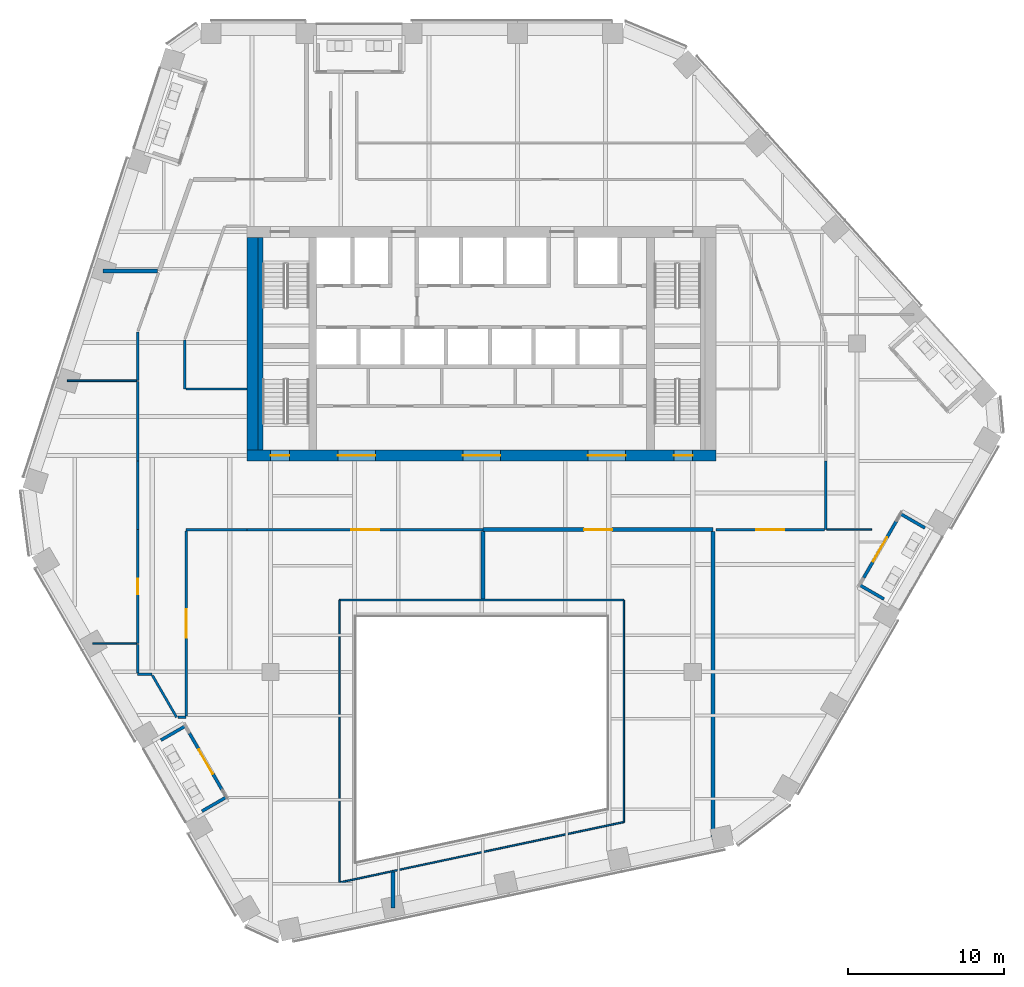
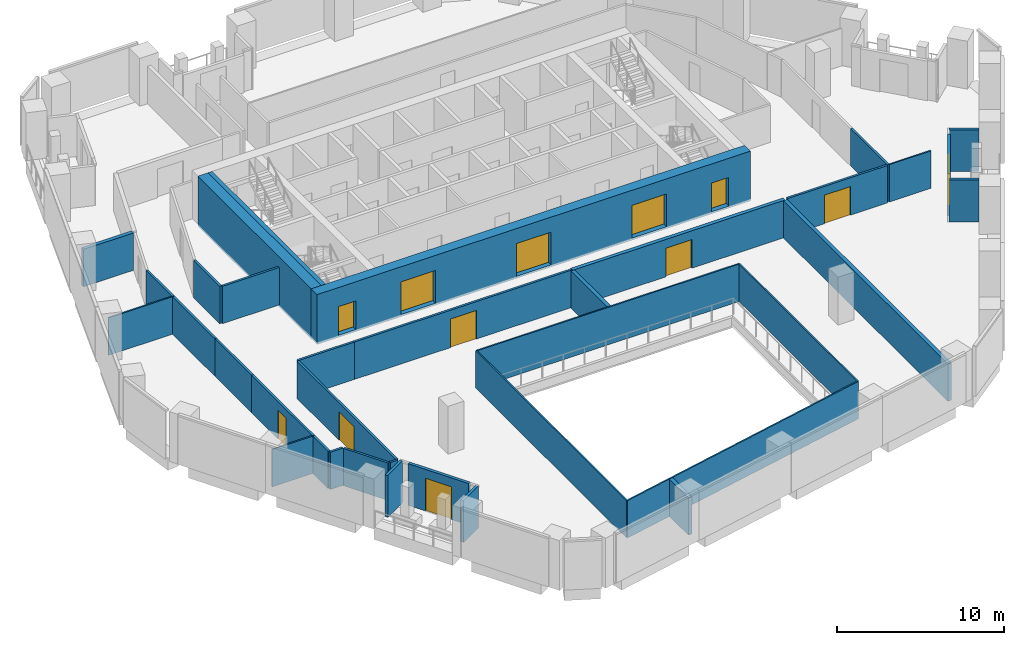
# One storey, part 19 of 26: 36 walls, 12 doors, 12 openings.
"""IFC4 building model written with IfcOpenShell, lengths in metres."""

from ifc_helpers import new_model, si_unit, direction, frame, frame_2d, origin, place, context, subcontext, project, spatial, rectangle, extrude, material, layer, layer_set, type_object, element, fill, save


model = new_model("IFC4")

# Units and contexts
model_context = context("Model", 3, precision=1e-05, world=origin(), true_north=direction((0.0, 1.0)))
body_context = subcontext(model_context, "Body", "Model", "MODEL_VIEW")
ifc_project = project(units=[si_unit("LENGTHUNIT", "METRE"), si_unit("AREAUNIT", "SQUARE_METRE"), si_unit("VOLUMEUNIT", "CUBIC_METRE"), si_unit("PLANEANGLEUNIT", "RADIAN"), si_unit("MASSUNIT", "GRAM", prefix="KILO")], contexts=[model_context])

# Site, building, storey
site_placement = place(None, origin())
site = spatial("IfcSite", under=ifc_project, at=site_placement, CompositionType="ELEMENT")
building_placement = place(site_placement, origin())
building = spatial("IfcBuilding", under=site, at=building_placement, Name="Isthmus Gate Tower", CompositionType="ELEMENT")
storey_placement = place(building_placement, frame((0.0, 0.0, 189.050048828125)))
storey = spatial("IfcBuildingStorey", under=building, at=storey_placement, Name="L47", CompositionType="ELEMENT", Elevation=189.050048828125)

# Wall, opening, door
ifc_material_1 = material(Name="Double-leaf acoustic stud wall, fire-rated", Category="gypsum")
ifc_layer_1 = layer(ifc_material_1, 0.25)
ifc_layer_set_1 = layer_set([ifc_layer_1], Name="ACOUSTIC WALL 250 60 MIN")
wall_type_1 = type_object("IfcWallType", Name="ACOUSTIC WALL 250 60 MIN", PredefinedType="PARTITIONING", material=ifc_layer_set_1)
wall_1_placement = place(storey_placement, frame((14.800048828125, -4.39990234375, 0.0), z_axis=(0.0, 0.0, 1.0), x_axis=(-1.0, 0.0, 0.0)))
wall_1 = element("IfcWall", 1, at=wall_1_placement, inside=storey, type_object=wall_type_1, Name="L47 Acoustic Wall 250 60 Min", PredefinedType="PARTITIONING", context=body_context, shape_type="SweptSolid", body=[
    extrude(rectangle(XDim=14.705078125, YDim=0.25, at=frame_2d((7.3525390625, 0.0))), origin(), (0.0, 0.0, 1.0), 2.7412109375),
])
opening_1_placement = place(wall_1_placement, frame((6.452392578125, 0.0, 0.0)))
opening_1 = element("IfcOpeningElement", 2, at=opening_1_placement, cuts=wall_1, Name="Opening DT-T4B-12", PredefinedType="OPENING", context=body_context, shape_type="SweptSolid", body=[
    extrude(rectangle(XDim=1.800048828125, YDim=2.10009765625, at=frame_2d((0.89990234375, 1.050048828125))), frame((0.0, 0.135009765625, 0.0), z_axis=(0.0, -1.0, 0.0), x_axis=(1.0, 0.0, 0.0)), (0.0, 0.0, 1.0), 0.27001953125),
])
ifc_material_2 = material(Name="Solid core timber door leaf, fire-rated", Category="wood")
door_type_1 = type_object("IfcDoorType", Name="FIRE DOOR ACOUSTIC ROOM 1800 X 2100 60 MIN", OperationType="DOUBLE_DOOR_DOUBLE_SWING", PredefinedType="DOOR", material=ifc_material_2)
door_1_placement = place(opening_1_placement, origin())
door_1 = element("IfcDoor", 3, at=door_1_placement, inside=storey, type_object=door_type_1, Name="L47 room door", OperationType="DOUBLE_DOOR_DOUBLE_SWING", OverallHeight=2.10009765625, OverallWidth=1.800048828125, PredefinedType="DOOR", context=body_context, shape_type="SweptSolid", body=[
    extrude(rectangle(XDim=1.800048828125, YDim=2.10009765625, at=frame_2d((0.89990234375, 1.050048828125))), frame((0.0, 0.02490234375, 0.0), z_axis=(0.0, -1.0, 0.0), x_axis=(1.0, 0.0, 0.0)), (0.0, 0.0, 1.0), 0.050048828125),
])
fill(opening_1, door_1)

# Walls
wall_2_placement = place(storey_placement, frame((-24.217041015625, 12.156005859375, 0.0), z_axis=(0.0, 0.0, 1.0), x_axis=(1.0, 0.0, 0.0)))
element("IfcWall", 4, at=wall_2_placement, inside=storey, type_object=wall_type_1, Name="L47 Acoustic Wall 250 60 Min", PredefinedType="PARTITIONING", context=body_context, shape_type="SweptSolid", body=[
    extrude(rectangle(XDim=3.468017578125, YDim=0.25, at=frame_2d((1.73388671875, 0.0))), origin(), (0.0, 0.0, 1.0), 2.7412109375),
])
wall_3_placement = place(storey_placement, frame((-5.674072265625, -28.593017578125, 0.0), z_axis=(0.0, 0.0, 1.0), x_axis=(0.0, 1.0, 0.0)))
element("IfcWall", 5, at=wall_3_placement, inside=storey, type_object=wall_type_1, Name="L47 Acoustic Wall 250 60 Min", PredefinedType="PARTITIONING", context=body_context, shape_type="SweptSolid", body=[
    extrude(rectangle(XDim=2.301025390625, YDim=0.25, at=frame_2d((1.150390625, 0.0))), origin(), (0.0, 0.0, 1.0), 2.7412109375),
])
wall_4_placement = place(storey_placement, frame((0.094970703125, -8.85009765625, 0.0), z_axis=(0.0, 0.0, 1.0), x_axis=(0.0, 1.0, 0.0)))
element("IfcWall", 6, at=wall_4_placement, inside=storey, type_object=wall_type_1, Name="L47 Acoustic Wall 250 60 Min", PredefinedType="PARTITIONING", context=body_context, shape_type="SweptSolid", body=[
    extrude(rectangle(XDim=4.3251953125, YDim=0.25, at=frame_2d((2.16259765625, 0.0))), origin(), (0.0, 0.0, 1.0), 2.7412109375),
])
wall_5_placement = place(storey_placement, frame((14.800048828125, -24.240966796875, 0.0), z_axis=(0.0, 0.0, 1.0), x_axis=(0.0, 1.0, 0.0)))
element("IfcWall", 7, at=wall_5_placement, inside=storey, type_object=wall_type_1, Name="L47 Acoustic Wall 250 60 Min", PredefinedType="PARTITIONING", context=body_context, shape_type="SweptSolid", body=[
    extrude(rectangle(XDim=19.716064453125, YDim=0.25, at=frame_2d((9.85791015625, 0.0))), origin(), (0.0, 0.0, 1.0), 2.7412109375),
])
ifc_material_3 = material(Name="Fire-rated laminated glass in steel frame", Category="steel")
ifc_layer_2 = layer(ifc_material_3, 0.10009765625)
ifc_layer_set_2 = layer_set([ifc_layer_2], Name="ATRIUM SCREEN GLAZED WALL 100 120 MIN")
wall_type_2 = type_object("IfcWallType", Name="ATRIUM SCREEN GLAZED WALL 100 120 MIN", PredefinedType="PARTITIONING", material=ifc_layer_set_2)
wall_6_placement = place(storey_placement, frame((-9.10009765625, -8.89990234375, 0.0), z_axis=(0.0, 0.0, 1.0), x_axis=(1.0, 0.0, 0.0)))
element("IfcWall", 8, at=wall_6_placement, inside=storey, type_object=wall_type_2, Name="L47 atrium screen", PredefinedType="PARTITIONING", context=body_context, shape_type="SweptSolid", body=[
    extrude(rectangle(XDim=18.2001953125, YDim=0.10009765625, at=frame_2d((9.10009765625, 0.0))), origin(), (0.0, 0.0, 1.0), 2.7412109375),
])
wall_7_placement = place(storey_placement, frame((9.10009765625, -8.89990234375, 0.0), z_axis=(0.0, 0.0, 1.0), x_axis=(0.0, -1.0, 0.0)))
element("IfcWall", 9, at=wall_7_placement, inside=storey, type_object=wall_type_2, Name="L47 atrium screen", PredefinedType="PARTITIONING", context=body_context, shape_type="SweptSolid", body=[
    extrude(rectangle(XDim=14.200927734375, YDim=0.10009765625, at=frame_2d((7.1005859375, 0.0))), origin(), (0.0, 0.0, 1.0), 2.7412109375),
])
wall_8_placement = place(storey_placement, frame((9.10009765625, -23.100830078125, 0.0), z_axis=(0.0, 0.0, 1.0), x_axis=(-0.978146710971, -0.207915876778, 0.0)))
element("IfcWall", 10, at=wall_8_placement, inside=storey, type_object=wall_type_2, Name="L47 atrium screen", PredefinedType="PARTITIONING", context=body_context, shape_type="SweptSolid", body=[
    extrude(rectangle(XDim=18.60693359375, YDim=0.10009765625, at=frame_2d((9.303466796875, 0.0))), origin(), (0.0, 0.0, 1.0), 2.7412109375),
])
wall_9_placement = place(storey_placement, frame((-9.10009765625, -26.969482421875, 0.0), z_axis=(0.0, 0.0, 1.0), x_axis=(0.0, 1.0, 0.0)))
element("IfcWall", 11, at=wall_9_placement, inside=storey, type_object=wall_type_2, Name="L47 atrium screen", PredefinedType="PARTITIONING", context=body_context, shape_type="SweptSolid", body=[
    extrude(rectangle(XDim=18.069580078125, YDim=0.10009765625, at=frame_2d((9.03466796875, 0.0))), origin(), (0.0, 0.0, 1.0), 2.7412109375),
])

# Wall, opening, door
ifc_material_4 = material(Name="Gypsum board on steel studs, fire-rated", Category="steel")
ifc_layer_3 = layer(ifc_material_4, 0.14990234375)
ifc_layer_set_3 = layer_set([ifc_layer_3], Name="CORRIDOR WALL 150 60 MIN")
wall_type_3 = type_object("IfcWallType", Name="CORRIDOR WALL 150 60 MIN", PredefinedType="PARTITIONING", material=ifc_layer_set_3)
wall_10_placement = place(storey_placement, frame((0.094970703125, -4.39990234375, 0.0), z_axis=(0.0, 0.0, 1.0), x_axis=(-1.0, 0.0, 0.0)))
wall_10 = element("IfcWall", 12, at=wall_10_placement, inside=storey, type_object=wall_type_3, Name="L47 Corridor Wall 150 60 Min", PredefinedType="PARTITIONING", context=body_context, shape_type="SweptSolid", body=[
    extrude(rectangle(XDim=15.094970703125, YDim=0.14990234375, at=frame_2d((7.54736328125, 0.0))), origin(), (0.0, 0.0, 1.0), 2.7412109375),
])
opening_2_placement = place(wall_10_placement, frame((6.6474609375, 0.0, 0.0)))
opening_2 = element("IfcOpeningElement", 13, at=opening_2_placement, cuts=wall_10, Name="Opening DT-T4B-10", PredefinedType="OPENING", context=body_context, shape_type="SweptSolid", body=[
    extrude(rectangle(XDim=1.800048828125, YDim=2.10009765625, at=frame_2d((0.89990234375, 1.050048828125))), frame((0.0, 0.0849609375, 0.0), z_axis=(0.0, -1.0, 0.0), x_axis=(1.0, 0.0, 0.0)), (0.0, 0.0, 1.0), 0.169921875),
])
ifc_material_5 = material(Name="Solid core timber door leaf, fire-rated", Category="wood")
door_type_2 = type_object("IfcDoorType", Name="FIRE DOOR ROOM 1800 X 2100 60 MIN", OperationType="DOUBLE_DOOR_DOUBLE_SWING", PredefinedType="DOOR", material=ifc_material_5)
door_2_placement = place(opening_2_placement, origin())
door_2 = element("IfcDoor", 14, at=door_2_placement, inside=storey, type_object=door_type_2, Name="L47 room door", OperationType="DOUBLE_DOOR_DOUBLE_SWING", OverallHeight=2.10009765625, OverallWidth=1.800048828125, PredefinedType="DOOR", context=body_context, shape_type="SweptSolid", body=[
    extrude(rectangle(XDim=1.800048828125, YDim=2.10009765625, at=frame_2d((0.89990234375, 1.050048828125))), frame((0.0, 0.02490234375, 0.0), z_axis=(0.0, -1.0, 0.0), x_axis=(1.0, 0.0, 0.0)), (0.0, 0.0, 1.0), 0.050048828125),
])
fill(opening_2, door_2)

# Wall
wall_11_placement = place(storey_placement, frame((22.0, 0.0, 0.0), z_axis=(0.0, 0.0, 1.0), x_axis=(0.0, -1.0, 0.0)))
element("IfcWall", 15, at=wall_11_placement, inside=storey, type_object=wall_type_3, Name="L47 Corridor Wall 150 60 Min", PredefinedType="PARTITIONING", context=body_context, shape_type="SweptSolid", body=[
    extrude(rectangle(XDim=4.39990234375, YDim=0.14990234375, at=frame_2d((2.199951171875, 0.0))), origin(), (0.0, 0.0, 1.0), 2.7412109375),
])

# Wall, opening, door
wall_12_placement = place(storey_placement, frame((21.925048828125, -4.39990234375, 0.0), z_axis=(0.0, 0.0, 1.0), x_axis=(-1.0, 0.0, 0.0)))
wall_12 = element("IfcWall", 16, at=wall_12_placement, inside=storey, type_object=wall_type_3, Name="L47 Corridor Wall 150 60 Min", PredefinedType="PARTITIONING", context=body_context, shape_type="SweptSolid", body=[
    extrude(rectangle(XDim=6.925048828125, YDim=0.14990234375, at=frame_2d((3.46240234375, 0.0))), origin(), (0.0, 0.0, 1.0), 2.7412109375),
])
opening_3_placement = place(wall_12_placement, frame((2.5625, 0.0, 0.0)))
opening_3 = element("IfcOpeningElement", 17, at=opening_3_placement, cuts=wall_12, Name="Opening DT-T4B-09", PredefinedType="OPENING", context=body_context, shape_type="SweptSolid", body=[
    extrude(rectangle(XDim=1.800048828125, YDim=2.10009765625, at=frame_2d((0.89990234375, 1.050048828125))), frame((0.0, 0.0849609375, 0.0), z_axis=(0.0, -1.0, 0.0), x_axis=(1.0, 0.0, 0.0)), (0.0, 0.0, 1.0), 0.169921875),
])
door_3_placement = place(opening_3_placement, origin())
door_3 = element("IfcDoor", 18, at=door_3_placement, inside=storey, type_object=door_type_2, Name="L47 room door", OperationType="DOUBLE_DOOR_DOUBLE_SWING", OverallHeight=2.10009765625, OverallWidth=1.800048828125, PredefinedType="DOOR", context=body_context, shape_type="SweptSolid", body=[
    extrude(rectangle(XDim=1.800048828125, YDim=2.10009765625, at=frame_2d((0.89990234375, 1.050048828125))), frame((0.0, 0.02490234375, 0.0), z_axis=(0.0, -1.0, 0.0), x_axis=(1.0, 0.0, 0.0)), (0.0, 0.0, 1.0), 0.050048828125),
])
fill(opening_3, door_3)

# Walls
wall_13_placement = place(storey_placement, frame((-15.0, -4.39990234375, 0.0), z_axis=(0.0, 0.0, 1.0), x_axis=(-1.0, 0.0, 0.0)))
element("IfcWall", 19, at=wall_13_placement, inside=storey, type_object=wall_type_3, Name="L47 Corridor Wall 150 60 Min", PredefinedType="PARTITIONING", context=body_context, shape_type="SweptSolid", body=[
    extrude(rectangle(XDim=3.89990234375, YDim=0.14990234375, at=frame_2d((1.949951171875, 0.0))), origin(), (0.0, 0.0, 1.0), 2.7412109375),
])
wall_14_placement = place(storey_placement, frame((-19.0, 7.742919921875, 0.0), z_axis=(0.0, 0.0, 1.0), x_axis=(0.0, -1.0, 0.0)))
element("IfcWall", 20, at=wall_14_placement, inside=storey, type_object=wall_type_3, Name="L47 Corridor Wall 150 60 Min", PredefinedType="PARTITIONING", context=body_context, shape_type="SweptSolid", body=[
    extrude(rectangle(XDim=3.142822265625, YDim=0.14990234375, at=frame_2d((1.5712890625, 0.0))), origin(), (0.0, 0.0, 1.0), 2.7412109375),
])

# Wall, opening, door
wall_15_placement = place(storey_placement, frame((-22.0, -11.693115234375, 0.0), z_axis=(0.0, 0.0, 1.0), x_axis=(-0.000267728647, 0.999999964161, 0.0)))
wall_15 = element("IfcWall", 21, at=wall_15_placement, inside=storey, type_object=wall_type_3, Name="L47 Corridor Wall 150 60 Min", PredefinedType="PARTITIONING", context=body_context, shape_type="SweptSolid", body=[
    extrude(rectangle(XDim=7.295166015625, YDim=0.14990234375, at=frame_2d((3.6474609375, 0.0))), origin(), (0.0, 0.0, 1.0), 2.7412109375),
])
opening_4_placement = place(wall_15_placement, frame((3.1474609375, 0.0, 0.0)))
opening_4 = element("IfcOpeningElement", 22, at=opening_4_placement, cuts=wall_15, Name="Opening DT-T4B-07", PredefinedType="OPENING", context=body_context, shape_type="SweptSolid", body=[
    extrude(rectangle(XDim=1.0, YDim=2.10009765625, at=frame_2d((0.5, 1.050048828125))), frame((0.0, 0.0849609375, 0.0), z_axis=(0.0, -1.0, 0.0), x_axis=(1.0, 0.0, 0.0)), (0.0, 0.0, 1.0), 0.169921875),
])
ifc_material_6 = material(Name="Solid core timber door leaf, fire-rated", Category="wood")
door_type_3 = type_object("IfcDoorType", Name="FIRE DOOR ROOM 1000 X 2100 60 MIN", OperationType="SINGLE_SWING_LEFT", PredefinedType="DOOR", material=ifc_material_6)
door_4_placement = place(opening_4_placement, origin())
door_4 = element("IfcDoor", 23, at=door_4_placement, inside=storey, type_object=door_type_3, Name="L47 room door", OperationType="SINGLE_SWING_RIGHT", OverallHeight=2.10009765625, OverallWidth=1.0, PredefinedType="DOOR", context=body_context, shape_type="SweptSolid", body=[
    extrude(rectangle(XDim=1.0, YDim=2.10009765625, at=frame_2d((0.5, 1.050048828125))), frame((0.0, 0.02490234375, 0.0), z_axis=(0.0, -1.0, 0.0), x_axis=(1.0, 0.0, 0.0)), (0.0, 0.0, 1.0), 0.050048828125),
])
fill(opening_4, door_4)

# Walls
wall_16_placement = place(storey_placement, frame((-21.10009765625, -13.654052734375, 0.0), z_axis=(0.0, 0.0, 1.0), x_axis=(-1.0, 0.0, 0.0)))
element("IfcWall", 24, at=wall_16_placement, inside=storey, type_object=wall_type_3, Name="L47 Corridor Wall 150 60 Min", PredefinedType="PARTITIONING", context=body_context, shape_type="SweptSolid", body=[
    extrude(rectangle(XDim=0.89990234375, YDim=0.14990234375, at=frame_2d((0.449951171875, 0.0))), origin(), (0.0, 0.0, 1.0), 2.7412109375),
])
wall_17_placement = place(storey_placement, frame((-19.513916015625, -16.39990234375, 0.0), z_axis=(0.0, 0.0, 1.0), x_axis=(-0.500184316454, 0.865918962475, 0.0)))
element("IfcWall", 25, at=wall_17_placement, inside=storey, type_object=wall_type_3, Name="L47 Corridor Wall 150 60 Min", PredefinedType="PARTITIONING", context=body_context, shape_type="SweptSolid", body=[
    extrude(rectangle(XDim=3.095947265625, YDim=0.14990234375, at=frame_2d((1.5478515625, 0.0))), origin(), (0.0, 0.0, 1.0), 2.7412109375),
])
wall_18_placement = place(storey_placement, frame((-18.89990234375, -16.39990234375, 0.0), z_axis=(0.0, 0.0, 1.0), x_axis=(-1.0, 0.0, 0.0)))
element("IfcWall", 26, at=wall_18_placement, inside=storey, type_object=wall_type_3, Name="L47 Corridor Wall 150 60 Min", PredefinedType="PARTITIONING", context=body_context, shape_type="SweptSolid", body=[
    extrude(rectangle(XDim=0.5390625, YDim=0.14990234375, at=frame_2d((0.26953125, 0.0))), origin(), (0.0, 0.0, 1.0), 2.7412109375),
])

# Wall, opening, door
wall_19_placement = place(storey_placement, frame((-18.89990234375, -4.47509765625, 0.0), z_axis=(0.0, 0.0, 1.0), x_axis=(0.0, -1.0, 0.0)))
wall_19 = element("IfcWall", 27, at=wall_19_placement, inside=storey, type_object=wall_type_3, Name="L47 Corridor Wall 150 60 Min", PredefinedType="PARTITIONING", context=body_context, shape_type="SweptSolid", body=[
    extrude(rectangle(XDim=11.849853515625, YDim=0.14990234375, at=frame_2d((5.9248046875, 0.0))), origin(), (0.0, 0.0, 1.0), 2.7412109375),
])
opening_5_placement = place(wall_19_placement, frame((5.02490234375, 0.0, 0.0)))
opening_5 = element("IfcOpeningElement", 28, at=opening_5_placement, cuts=wall_19, Name="Opening DT-T4B-11", PredefinedType="OPENING", context=body_context, shape_type="SweptSolid", body=[
    extrude(rectangle(XDim=1.800048828125, YDim=2.10009765625, at=frame_2d((0.89990234375, 1.050048828125))), frame((0.0, 0.0849609375, 0.0), z_axis=(0.0, -1.0, 0.0), x_axis=(1.0, 0.0, 0.0)), (0.0, 0.0, 1.0), 0.169921875),
])
door_5_placement = place(opening_5_placement, origin())
door_5 = element("IfcDoor", 29, at=door_5_placement, inside=storey, type_object=door_type_2, Name="L47 room door", OperationType="DOUBLE_DOOR_DOUBLE_SWING", OverallHeight=2.10009765625, OverallWidth=1.800048828125, PredefinedType="DOOR", context=body_context, shape_type="SweptSolid", body=[
    extrude(rectangle(XDim=1.800048828125, YDim=2.10009765625, at=frame_2d((0.89990234375, 1.050048828125))), frame((0.0, 0.02490234375, 0.0), z_axis=(0.0, -1.0, 0.0), x_axis=(1.0, 0.0, 0.0)), (0.0, 0.0, 1.0), 0.050048828125),
])
fill(opening_5, door_5)

# Walls
wall_20_placement = place(storey_placement, frame((-18.925048828125, 4.60009765625, 0.0), z_axis=(0.0, 0.0, 1.0), x_axis=(1.0, 0.0, 0.0)))
element("IfcWall", 30, at=wall_20_placement, inside=storey, type_object=wall_type_3, Name="L47 Corridor Wall 150 60 Min", PredefinedType="PARTITIONING", context=body_context, shape_type="SweptSolid", body=[
    extrude(rectangle(XDim=3.925048828125, YDim=0.14990234375, at=frame_2d((1.96240234375, 0.0))), origin(), (0.0, 0.0, 1.0), 2.7412109375),
])
wall_21_placement = place(storey_placement, frame((-22.0, 5.126953125, 0.0), z_axis=(0.0, 0.0, 1.0), x_axis=(0.0, 1.0, 0.0)))
element("IfcWall", 31, at=wall_21_placement, inside=storey, type_object=wall_type_3, Name="L47 Corridor Wall 150 60 Min", PredefinedType="PARTITIONING", context=body_context, shape_type="SweptSolid", body=[
    extrude(rectangle(XDim=3.130126953125, YDim=0.14990234375, at=frame_2d((1.56494140625, 0.0))), origin(), (0.0, 0.0, 1.0), 2.7412109375),
])
wall_22_placement = place(storey_placement, frame((-22.0, -4.39794921875, 0.0), z_axis=(0.0, 0.0, 1.0), x_axis=(0.0, 1.0, 0.0)))
element("IfcWall", 32, at=wall_22_placement, inside=storey, type_object=wall_type_3, Name="L47 Corridor Wall 150 60 Min", PredefinedType="PARTITIONING", context=body_context, shape_type="SweptSolid", body=[
    extrude(rectangle(XDim=4.39794921875, YDim=0.14990234375, at=frame_2d((2.198974609375, 0.0))), origin(), (0.0, 0.0, 1.0), 2.7412109375),
])
wall_23_placement = place(storey_placement, frame((-22.0, 0.0, 0.0), z_axis=(0.0, 0.0, 1.0), x_axis=(0.0, 1.0, 0.0)))
element("IfcWall", 33, at=wall_23_placement, inside=storey, type_object=wall_type_3, Name="L47 Corridor Wall 150 60 Min", PredefinedType="PARTITIONING", context=body_context, shape_type="SweptSolid", body=[
    extrude(rectangle(XDim=5.076904296875, YDim=0.14990234375, at=frame_2d((2.53857421875, 0.0))), origin(), (0.0, 0.0, 1.0), 2.7412109375),
])
wall_24_placement = place(storey_placement, frame((-22.0, -13.5791015625, 0.0), z_axis=(0.0, 0.0, 1.0), x_axis=(0.0, 1.0, 0.0)))
element("IfcWall", 34, at=wall_24_placement, inside=storey, type_object=wall_type_3, Name="L47 Corridor Wall 150 60 Min", PredefinedType="PARTITIONING", context=body_context, shape_type="SweptSolid", body=[
    extrude(rectangle(XDim=1.836181640625, YDim=0.14990234375, at=frame_2d((0.91796875, 0.0))), origin(), (0.0, 0.0, 1.0), 2.7412109375),
])

# Wall, opening, door
ifc_material_7 = material(Name="Precast concrete C40/50", Category="concrete")
ifc_layer_4 = layer(ifc_material_7, 0.199951171875)
ifc_layer_set_4 = layer_set([ifc_layer_4], Name="LOGGIA WALL 200")
wall_type_4 = type_object("IfcWallType", Name="LOGGIA WALL 200", PredefinedType="SOLIDWALL", material=ifc_layer_set_4)
wall_25_placement = place(storey_placement, frame((-18.695556640625, -17.418212890625, 0.0), z_axis=(0.0, 0.0, 1.0), x_axis=(0.49998411664, -0.866034573852, 0.0)))
wall_25 = element("IfcWall", 35, at=wall_25_placement, inside=storey, type_object=wall_type_4, Name="LOGGIA BACK WALL", PredefinedType="SOLIDWALL", context=body_context, shape_type="SweptSolid", body=[
    extrude(rectangle(XDim=4.199951171875, YDim=0.199951171875, at=frame_2d((2.10009765625, 0.0))), origin(), (0.0, 0.0, 1.0), 3.050048828125),
])
opening_6_placement = place(wall_25_placement, frame((1.199951171875, 0.0, 0.0)))
opening_6 = element("IfcOpeningElement", 36, at=opening_6_placement, cuts=wall_25, Name="Opening DE47-03", PredefinedType="OPENING", context=body_context, shape_type="SweptSolid", body=[
    extrude(rectangle(XDim=1.800048828125, YDim=2.39990234375, at=frame_2d((0.89990234375, 1.199951171875))), frame((0.0, 0.10986328125, 0.0), z_axis=(0.0, -1.0, 0.0), x_axis=(1.0, 0.0, 0.0)), (0.0, 0.0, 1.0), 0.219970703125),
])
ifc_material_8 = material(Name="Aluminium, pale champagne anodised, laminated glass", Category="aluminium")
door_type_4 = type_object("IfcDoorType", Name="LOGGIA DOOR SLIDING 1800 X 2400", OperationType="DOUBLE_DOOR_SLIDING", PredefinedType="DOOR", material=ifc_material_8)
door_6_placement = place(opening_6_placement, origin())
door_6 = element("IfcDoor", 37, at=door_6_placement, inside=storey, type_object=door_type_4, Name="DOOR DE47-03", OperationType="SINGLE_SWING_LEFT", OverallHeight=2.39990234375, OverallWidth=1.800048828125, PredefinedType="DOOR", context=body_context, shape_type="SweptSolid", body=[
    extrude(rectangle(XDim=1.800048828125, YDim=2.39990234375, at=frame_2d((0.89990234375, 1.199951171875))), frame((0.0, 0.02490234375, 0.0), z_axis=(0.0, -1.0, 0.0), x_axis=(1.0, 0.0, 0.0)), (0.0, 0.0, 1.0), 0.050048828125),
])
fill(opening_6, door_6)

# Walls
wall_26_placement = place(storey_placement, frame((-20.51708984375, -17.863525390625, 0.0), z_axis=(0.0, 0.0, 1.0), x_axis=(0.866028357664, 0.499994883695, 0.0)))
element("IfcWall", 38, at=wall_26_placement, inside=storey, type_object=wall_type_4, Name="LOGGIA SIDE WALL", PredefinedType="SOLIDWALL", context=body_context, shape_type="SweptSolid", body=[
    extrude(rectangle(XDim=1.7841796875, YDim=0.199951171875, at=frame_2d((0.89208984375, 0.0))), origin(), (0.0, 0.0, 1.0), 3.050048828125),
])
wall_27_placement = place(storey_placement, frame((-17.891845703125, -22.41015625, 0.0), z_axis=(0.0, 0.0, 1.0), x_axis=(0.866053404088, 0.499951498915, 0.0)))
element("IfcWall", 39, at=wall_27_placement, inside=storey, type_object=wall_type_4, Name="LOGGIA SIDE WALL", PredefinedType="SOLIDWALL", context=body_context, shape_type="SweptSolid", body=[
    extrude(rectangle(XDim=1.783935546875, YDim=0.199951171875, at=frame_2d((0.89208984375, 0.0))), origin(), (0.0, 0.0, 1.0), 3.049072265625),
])

# Wall, opening, door
wall_28_placement = place(storey_placement, frame((24.432373046875, -7.48193359375, 0.0), z_axis=(0.0, 0.0, 1.0), x_axis=(0.500002543286, 0.866023935413, 0.0)))
wall_28 = element("IfcWall", 40, at=wall_28_placement, inside=storey, type_object=wall_type_4, Name="LOGGIA BACK WALL", PredefinedType="SOLIDWALL", context=body_context, shape_type="SweptSolid", body=[
    extrude(rectangle(XDim=4.2001953125, YDim=0.199951171875, at=frame_2d((2.10009765625, 0.0))), origin(), (0.0, 0.0, 1.0), 3.049072265625),
])
opening_7_placement = place(wall_28_placement, frame((1.199951171875, 0.0, 0.0)))
opening_7 = element("IfcOpeningElement", 41, at=opening_7_placement, cuts=wall_28, Name="Opening DE47-04", PredefinedType="OPENING", context=body_context, shape_type="SweptSolid", body=[
    extrude(rectangle(XDim=1.800048828125, YDim=2.39990234375, at=frame_2d((0.89990234375, 1.199951171875))), frame((0.0, 0.10986328125, 0.0), z_axis=(0.0, -1.0, 0.0), x_axis=(1.0, 0.0, 0.0)), (0.0, 0.0, 1.0), 0.219970703125),
])
door_7_placement = place(opening_7_placement, origin())
door_7 = element("IfcDoor", 42, at=door_7_placement, inside=storey, type_object=door_type_4, Name="DOOR DE47-04", OperationType="SINGLE_SWING_LEFT", OverallHeight=2.39990234375, OverallWidth=1.800048828125, PredefinedType="DOOR", context=body_context, shape_type="SweptSolid", body=[
    extrude(rectangle(XDim=1.800048828125, YDim=2.39990234375, at=frame_2d((0.89990234375, 1.199951171875))), frame((0.0, 0.02490234375, 0.0), z_axis=(0.0, -1.0, 0.0), x_axis=(1.0, 0.0, 0.0)), (0.0, 0.0, 1.0), 0.050048828125),
])
fill(opening_7, door_7)

# Walls
for number, where, z_axis, x_axis, name in (
    (43, (25.728759765625, -8.83642578125, 0.0), (0.0, 0.0, 1.0), (-0.866053404088, 0.499951498915, 0.0), "LOGGIA SIDE WALL"),
    (44, (28.353759765625, -4.289794921875, 0.0), (0.0, 0.0, 1.0), (-0.865994143547, 0.500054140411, 0.0), "LOGGIA SIDE WALL"),
):
    element("IfcWall", number, at=place(storey_placement, frame(where, z_axis=z_axis, x_axis=x_axis)), inside=storey, type_object=wall_type_4, Name=name, PredefinedType="SOLIDWALL", context=body_context, shape_type="SweptSolid", body=[
        extrude(rectangle(XDim=1.783935546875, YDim=0.199951171875, at=frame_2d((0.89208984375, 0.0))), origin(), (0.0, 0.0, 1.0), 3.050048828125),
    ])

# Wall, openings, doors
ifc_material_9 = material(Name="Concrete f'c 60 MPa", Category="concrete")
ifc_layer_5 = layer(ifc_material_9, 0.699951171875)
ifc_layer_set_5 = layer_set([ifc_layer_5], Name="RC CORE WALL 700 F'C 60")
wall_type_5 = type_object("IfcWallType", Name="RC CORE WALL 700 F'C 60", PredefinedType="SOLIDWALL", material=ifc_layer_set_5)
wall_29_placement = place(storey_placement, frame((-15.0, 0.35009765625, -0.150146484375), z_axis=(0.0, 0.0, 1.0), x_axis=(1.0, 0.0, 0.0)))
wall_29 = element("IfcWall", 45, at=wall_29_placement, inside=storey, type_object=wall_type_5, Name="str-corewall-L47-S", PredefinedType="SOLIDWALL", context=body_context, shape_type="SweptSolid", body=[
    extrude(rectangle(XDim=30.0, YDim=0.699951171875, at=frame_2d((15.0, 0.0))), origin(), (0.0, 0.0, 1.0), 3.650146484375),
])
opening_8_placement = place(wall_29_placement, frame((5.800048828125, 0.0, 0.14990234375)))
opening_8 = element("IfcOpeningElement", 46, at=opening_8_placement, cuts=wall_29, Name="Opening DC-A10-10", PredefinedType="OPENING", context=body_context, shape_type="SweptSolid", body=[
    extrude(rectangle(XDim=2.39990234375, YDim=2.39990234375, at=frame_2d((1.199951171875, 1.199951171875))), frame((0.0, 0.35986328125, 0.0), z_axis=(0.0, -1.0, 0.0), x_axis=(1.0, 0.0, 0.0)), (0.0, 0.0, 1.0), 0.719970703125),
])
opening_9_placement = place(wall_29_placement, frame((13.800048828125, 0.0, 0.14990234375)))
opening_9 = element("IfcOpeningElement", 47, at=opening_9_placement, cuts=wall_29, Name="Opening DC-A10-11", PredefinedType="OPENING", context=body_context, shape_type="SweptSolid", body=[
    extrude(rectangle(XDim=2.39990234375, YDim=2.39990234375, at=frame_2d((1.199951171875, 1.199951171875))), frame((0.0, 0.35986328125, 0.0), z_axis=(0.0, -1.0, 0.0), x_axis=(1.0, 0.0, 0.0)), (0.0, 0.0, 1.0), 0.719970703125),
])
opening_10_placement = place(wall_29_placement, frame((21.800048828125, 0.0, 0.14990234375)))
opening_10 = element("IfcOpeningElement", 48, at=opening_10_placement, cuts=wall_29, Name="Opening DC-A10-12", PredefinedType="OPENING", context=body_context, shape_type="SweptSolid", body=[
    extrude(rectangle(XDim=2.39990234375, YDim=2.39990234375, at=frame_2d((1.199951171875, 1.199951171875))), frame((0.0, 0.35986328125, 0.0), z_axis=(0.0, -1.0, 0.0), x_axis=(1.0, 0.0, 0.0)), (0.0, 0.0, 1.0), 0.719970703125),
])
opening_11_placement = place(wall_29_placement, frame((1.5, 0.0, 0.14990234375)))
opening_11 = element("IfcOpeningElement", 49, at=opening_11_placement, cuts=wall_29, Name="Opening DC-A10-17", PredefinedType="OPENING", context=body_context, shape_type="SweptSolid", body=[
    extrude(rectangle(XDim=1.199951171875, YDim=2.10009765625, at=frame_2d((0.60009765625, 1.050048828125))), frame((0.0, 0.35986328125, 0.0), z_axis=(0.0, -1.0, 0.0), x_axis=(1.0, 0.0, 0.0)), (0.0, 0.0, 1.0), 0.719970703125),
])
opening_12_placement = place(wall_29_placement, frame((27.300048828125, 0.0, 0.14990234375)))
opening_12 = element("IfcOpeningElement", 50, at=opening_12_placement, cuts=wall_29, Name="Opening DC-A10-18", PredefinedType="OPENING", context=body_context, shape_type="SweptSolid", body=[
    extrude(rectangle(XDim=1.199951171875, YDim=2.10009765625, at=frame_2d((0.60009765625, 1.050048828125))), frame((0.0, 0.35986328125, 0.0), z_axis=(0.0, -1.0, 0.0), x_axis=(1.0, 0.0, 0.0)), (0.0, 0.0, 1.0), 0.719970703125),
])
ifc_material_10 = material(Name="Laminated safety glass in steel frame, fire-rated", Category="steel")
door_type_5 = type_object("IfcDoorType", Name="LOBBY ENTRANCE FIRE DOOR 2400 X 2400 60 MIN", OperationType="DOUBLE_DOOR_DOUBLE_SWING", PredefinedType="DOOR", material=ifc_material_10)
door_8_placement = place(opening_8_placement, origin())
door_8 = element("IfcDoor", 51, at=door_8_placement, inside=storey, type_object=door_type_5, Name="Lobby Entrance PS-W", OperationType="DOUBLE_DOOR_DOUBLE_SWING", OverallHeight=2.39990234375, OverallWidth=2.39990234375, PredefinedType="DOOR", context=body_context, shape_type="SweptSolid", body=[
    extrude(rectangle(XDim=2.39990234375, YDim=2.39990234375, at=frame_2d((1.199951171875, 1.199951171875))), frame((0.0, 0.02490234375, 0.0), z_axis=(0.0, -1.0, 0.0), x_axis=(1.0, 0.0, 0.0)), (0.0, 0.0, 1.0), 0.050048828125),
])
fill(opening_8, door_8)
door_9_placement = place(opening_9_placement, origin())
door_9 = element("IfcDoor", 52, at=door_9_placement, inside=storey, type_object=door_type_5, Name="Lobby Entrance PS-C", OperationType="DOUBLE_DOOR_DOUBLE_SWING", OverallHeight=2.39990234375, OverallWidth=2.39990234375, PredefinedType="DOOR", context=body_context, shape_type="SweptSolid", body=[
    extrude(rectangle(XDim=2.39990234375, YDim=2.39990234375, at=frame_2d((1.199951171875, 1.199951171875))), frame((0.0, 0.02490234375, 0.0), z_axis=(0.0, -1.0, 0.0), x_axis=(1.0, 0.0, 0.0)), (0.0, 0.0, 1.0), 0.050048828125),
])
fill(opening_9, door_9)
door_10_placement = place(opening_10_placement, origin())
door_10 = element("IfcDoor", 53, at=door_10_placement, inside=storey, type_object=door_type_5, Name="Lobby Entrance PS-E", OperationType="DOUBLE_DOOR_DOUBLE_SWING", OverallHeight=2.39990234375, OverallWidth=2.39990234375, PredefinedType="DOOR", context=body_context, shape_type="SweptSolid", body=[
    extrude(rectangle(XDim=2.39990234375, YDim=2.39990234375, at=frame_2d((1.199951171875, 1.199951171875))), frame((0.0, 0.02490234375, 0.0), z_axis=(0.0, -1.0, 0.0), x_axis=(1.0, 0.0, 0.0)), (0.0, 0.0, 1.0), 0.050048828125),
])
fill(opening_10, door_10)
ifc_material_11 = material(Name="Steel door leaf, fire-rated", Category="steel")
door_type_6 = type_object("IfcDoorType", Name="STAIR FIRE DOOR 1200 X 2100 90 MIN", OperationType="SINGLE_SWING_LEFT", PredefinedType="DOOR", material=ifc_material_11)
door_11_placement = place(opening_11_placement, origin())
door_11 = element("IfcDoor", 54, at=door_11_placement, inside=storey, type_object=door_type_6, Name="Exit Stair 7 Door", OperationType="SINGLE_SWING_LEFT", OverallHeight=2.10009765625, OverallWidth=1.199951171875, PredefinedType="DOOR", context=body_context, shape_type="SweptSolid", body=[
    extrude(rectangle(XDim=1.199951171875, YDim=2.10009765625, at=frame_2d((0.60009765625, 1.050048828125))), frame((0.0, 0.02490234375, 0.0), z_axis=(0.0, -1.0, 0.0), x_axis=(1.0, 0.0, 0.0)), (0.0, 0.0, 1.0), 0.050048828125),
])
fill(opening_11, door_11)
door_12_placement = place(opening_12_placement, origin())
door_12 = element("IfcDoor", 55, at=door_12_placement, inside=storey, type_object=door_type_6, Name="Exit Stair 8 Door", OperationType="SINGLE_SWING_RIGHT", OverallHeight=2.10009765625, OverallWidth=1.199951171875, PredefinedType="DOOR", context=body_context, shape_type="SweptSolid", body=[
    extrude(rectangle(XDim=1.199951171875, YDim=2.10009765625, at=frame_2d((0.60009765625, 1.050048828125))), frame((0.0, 0.02490234375, 0.0), z_axis=(0.0, -1.0, 0.0), x_axis=(1.0, 0.0, 0.0)), (0.0, 0.0, 1.0), 0.050048828125),
])
fill(opening_12, door_12)

# Walls
wall_30_placement = place(storey_placement, frame((-14.64990234375, 0.699951171875, -0.150146484375), z_axis=(0.0, 0.0, 1.0), x_axis=(0.0, 1.0, 0.0)))
element("IfcWall", 56, at=wall_30_placement, inside=storey, type_object=wall_type_5, Name="str-corewall-L47-W", PredefinedType="SOLIDWALL", context=body_context, shape_type="SweptSolid", body=[
    extrude(rectangle(XDim=13.60009765625, YDim=0.699951171875, at=frame_2d((6.800048828125, 0.0))), origin(), (0.0, 0.0, 1.0), 3.650146484375),
])
ifc_material_12 = material(Name="Gypsum board on steel studs, fire-rated", Category="steel")
ifc_layer_6 = layer(ifc_material_12, 0.10009765625)
ifc_layer_set_6 = layer_set([ifc_layer_6], Name="ROOM PARTITION 100 30 MIN")
wall_type_6 = type_object("IfcWallType", Name="ROOM PARTITION 100 30 MIN", PredefinedType="PARTITIONING", material=ifc_layer_set_6)
wall_31_placement = place(storey_placement, frame((-26.5009765625, 5.126953125, 0.0), z_axis=(0.0, 0.0, 1.0), x_axis=(1.0, 0.0, 0.0)))
element("IfcWall", 57, at=wall_31_placement, inside=storey, type_object=wall_type_6, Name="L47 Room Partition 100 30 Min", PredefinedType="PARTITIONING", context=body_context, shape_type="SweptSolid", body=[
    extrude(rectangle(XDim=4.426025390625, YDim=0.10009765625, at=frame_2d((2.212890625, 0.0))), origin(), (0.0, 0.0, 1.0), 2.7412109375),
])
wall_32_placement = place(storey_placement, frame((-24.887939453125, -11.693115234375, 0.0), z_axis=(0.0, 0.0, 1.0), x_axis=(1.0, 0.0, 0.0)))
element("IfcWall", 58, at=wall_32_placement, inside=storey, type_object=wall_type_6, Name="L47 Room Partition 100 30 Min", PredefinedType="PARTITIONING", context=body_context, shape_type="SweptSolid", body=[
    extrude(rectangle(XDim=2.81298828125, YDim=0.10009765625, at=frame_2d((1.406494140625, 0.0))), origin(), (0.0, 0.0, 1.0), 2.7412109375),
])
wall_33_placement = place(storey_placement, frame((22.074951171875, -4.402099609375, 0.0), z_axis=(0.0, 0.0, 1.0), x_axis=(1.0, 0.0, 0.0)))
element("IfcWall", 59, at=wall_33_placement, inside=storey, type_object=wall_type_6, Name="L47 Room Partition 100 30 Min", PredefinedType="PARTITIONING", context=body_context, shape_type="SweptSolid", body=[
    extrude(rectangle(XDim=2.861328125, YDim=0.10009765625, at=frame_2d((1.4306640625, 0.0))), origin(), (0.0, 0.0, 1.0), 2.7412109375),
])
ifc_material_13 = material(Name="Concrete f'c 40 MPa", Category="concrete")
ifc_layer_7 = layer(ifc_material_13, 0.300048828125)
ifc_layer_set_7 = layer_set([ifc_layer_7], Name="STAIR ENCLOSURE WALL 300 180 MIN")
wall_type_7 = type_object("IfcWallType", Name="STAIR ENCLOSURE WALL 300 180 MIN", PredefinedType="SOLIDWALL", material=ifc_layer_set_7)
wall_34_placement = place(storey_placement, frame((-14.14990234375, 0.699951171875, 0.0), z_axis=(0.0, 0.0, 1.0), x_axis=(0.0, 1.0, 0.0)))
element("IfcWall", 60, at=wall_34_placement, inside=storey, type_object=wall_type_7, Name="L47 STAIR ENCLOSURE WALL 300 180 MIN", PredefinedType="SOLIDWALL", context=body_context, shape_type="SweptSolid", body=[
    extrude(rectangle(XDim=13.60009765625, YDim=0.300048828125, at=frame_2d((6.800048828125, 0.0))), origin(), (0.0, 0.0, 1.0), 3.5),
])

save(model, "model.ifc")
